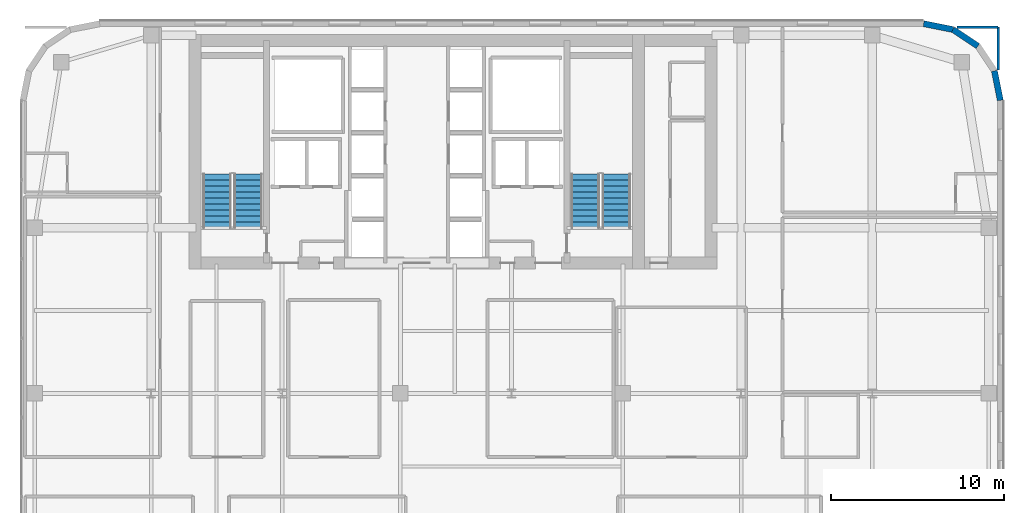
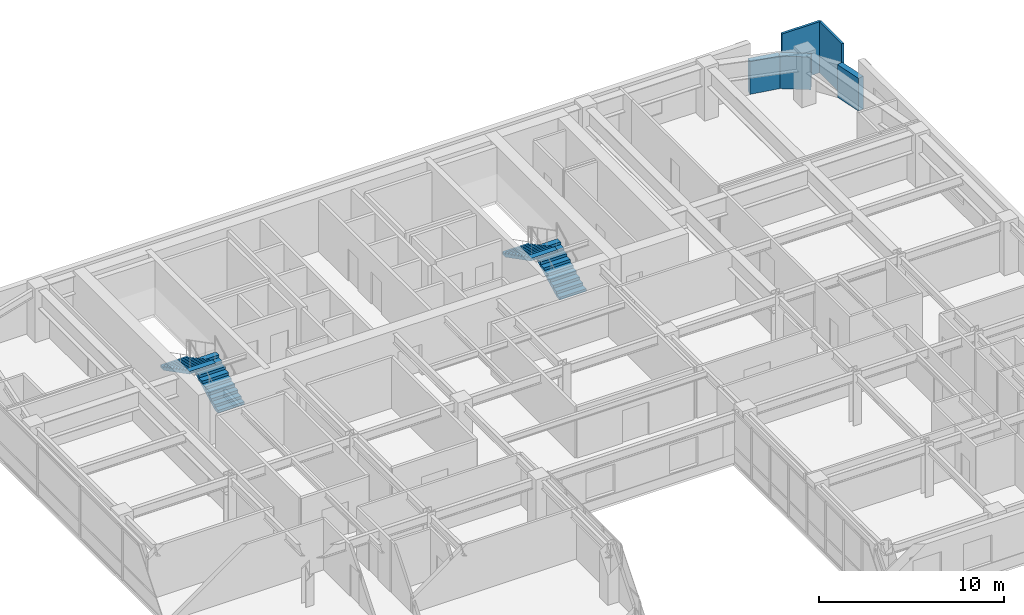
# One storey, part 32 of 37: 5 walls, 4 stair flights, 2 elements without a shape of their own.
"""IFC4 building model written with IfcOpenShell, lengths in metres."""

from ifc_helpers import new_model, si_unit, direction, frame, frame_2d, origin, place, context, subcontext, project, spatial, polyline, rectangle, outline, extrude, material, layer, layer_set, type_object, element, aggregate, save


model = new_model("IFC4")

# Units and contexts
model_context = context("Model", 3, precision=1e-05, world=origin(), true_north=direction((0.0, 1.0)))
body_context = subcontext(model_context, "Body", "Model", "MODEL_VIEW")
ifc_project = project(units=[si_unit("LENGTHUNIT", "METRE"), si_unit("AREAUNIT", "SQUARE_METRE"), si_unit("VOLUMEUNIT", "CUBIC_METRE"), si_unit("PLANEANGLEUNIT", "RADIAN"), si_unit("MASSUNIT", "GRAM", prefix="KILO")], contexts=[model_context])

# Site, building, storey
site_placement = place(None, origin())
site = spatial("IfcSite", under=ifc_project, at=site_placement, CompositionType="ELEMENT")
building_placement = place(site_placement, origin())
building = spatial("IfcBuilding", under=site, at=building_placement, Name="Tolvann Quenvar Hotel", CompositionType="ELEMENT")
storey_placement = place(building_placement, frame((0.0, 0.0, 104.449951171875)))
storey = spatial("IfcBuildingStorey", under=building, at=storey_placement, Name="L26", CompositionType="ELEMENT", Elevation=104.449951171875)

# Walls
ifc_material_1 = material(Name="Kiln-fired red and buff architectural clay brickwork and terracotta masonry", Category="masonry")
ifc_layer_1 = layer(ifc_material_1, 0.35009765625)
ifc_layer_set_1 = layer_set([ifc_layer_1], Name="Kiln-fired red and buff architectural clay brickwork and terracotta masonry")
wall_type_1 = type_object("IfcWallType", Name="WALL_EXT_BRICK_350", PredefinedType="SOLIDWALL", material=ifc_layer_set_1)
wall_1_placement = place(storey_placement, frame((56.824951171875, 41.3828125, 0.0), z_axis=(0.0, 0.0, 1.0), x_axis=(-0.195011420161, 0.980800971659, 0.0)))
element("IfcWall", 1, at=wall_1_placement, inside=storey, type_object=wall_type_1, Name="Exterior Chicago Brick Wall L26-E14", PredefinedType="SOLIDWALL", context=body_context, shape_type="SweptSolid", body=[
    extrude(rectangle(XDim=1.74267578125, YDim=0.35009765625, at=frame_2d((0.871337890625, 0.0))), origin(), (0.0, 0.0, 1.0), 2.16015625),
])
wall_2_placement = place(storey_placement, frame((55.526611328125, 44.526611328125, 0.0), z_axis=(0.0, 0.0, 1.0), x_axis=(-0.831483840845, 0.55554893791, 0.0)))
element("IfcWall", 2, at=wall_2_placement, inside=storey, type_object=wall_type_1, Name="Exterior Chicago Brick Wall L26-E16", PredefinedType="SOLIDWALL", context=body_context, shape_type="SweptSolid", body=[
    extrude(rectangle(XDim=1.725341796875, YDim=0.35009765625, at=frame_2d((0.86279296875, 0.0))), origin(), (0.0, 0.0, 1.0), 2.16015625),
])
wall_3_placement = place(storey_placement, frame((54.092041015625, 45.485107421875, 0.0), z_axis=(0.0, 0.0, 1.0), x_axis=(-0.980800971659, 0.195011420161, 0.0)))
element("IfcWall", 3, at=wall_3_placement, inside=storey, type_object=wall_type_1, Name="Exterior Chicago Brick Wall L26-E17", PredefinedType="SOLIDWALL", context=body_context, shape_type="SweptSolid", body=[
    extrude(rectangle(XDim=1.74267578125, YDim=0.35009765625, at=frame_2d((0.871337890625, 0.0))), origin(), (0.0, 0.0, 1.0), 2.16015625),
])
ifc_material_2 = material(Name="Acoustic twin-stud fire-rated gypsum plasterboard partition")
ifc_layer_2 = layer(ifc_material_2, 0.14990234375)
ifc_layer_set_2 = layer_set([ifc_layer_2], Name="Acoustic twin-stud fire-rated gypsum plasterboard partition")
wall_type_2 = type_object("IfcWallType", Name="WALL_PART_SUITE_150", PredefinedType="PARTITIONING", material=ifc_layer_set_2)
wall_4_placement = place(storey_placement, frame((56.699951171875, 43.135009765625, 0.0), z_axis=(0.0, 0.0, 1.0), x_axis=(0.0, 1.0, 0.0)))
element("IfcWall", 4, at=wall_4_placement, inside=storey, type_object=wall_type_2, Name="Interior Partition PT-SPC-L26-RM-NE01-E4", PredefinedType="PARTITIONING", context=body_context, shape_type="SweptSolid", body=[
    extrude(rectangle(XDim=2.485107421875, YDim=0.14990234375, at=frame_2d((1.24267578125, 0.0))), origin(), (0.0, 0.0, 1.0), 3.3701171875),
])
wall_5_placement = place(storey_placement, frame((54.303955078125, 45.6201171875, 0.0), z_axis=(0.0, 0.0, 1.0), x_axis=(1.0, 0.0, 0.0)))
element("IfcWall", 5, at=wall_5_placement, inside=storey, type_object=wall_type_2, Name="Interior Partition PT-SPC-L26-RM-NE01-E5", PredefinedType="PARTITIONING", context=body_context, shape_type="SweptSolid", body=[
    extrude(rectangle(XDim=2.39599609375, YDim=0.14990234375, at=frame_2d((1.197998046875, 0.0))), origin(), (0.0, 0.0, 1.0), 3.3701171875),
])

# Stair, stair flights
ifc_material_3 = material(Name="Concrete N40 (40 MPa)", Category="concrete")
stair_type = type_object("IfcStairType", Name="STAIR", PredefinedType="HALF_TURN_STAIR", material=ifc_material_3)
stair_1_placement = place(storey_placement, origin())
stair_1 = element("IfcStair", 6, at=stair_1_placement, inside=storey, type_object=stair_type, Name="L26 ST-C1", PredefinedType="HALF_TURN_STAIR")
stair_flight_type = type_object("IfcStairFlightType", Name="STAIR_FLIGHT", PredefinedType="STRAIGHT", material=ifc_material_3)
stair_flight_1_placement = place(storey_placement, frame((13.22509765625, 34.0, 0.0), z_axis=(0.0, 0.0, 1.0), x_axis=(0.0, 1.0, 0.0)))
stair_flight_1 = element("IfcStairFlight", 7, at=stair_flight_1_placement, type_object=stair_flight_type, Name="ST-C1 flight 1", NumberOfRisers=10, NumberOfTreads=9, PredefinedType="STRAIGHT", RiserHeight=0.1775, TreadLength=0.345, context=body_context, shape_type="SweptSolid", body=[
    extrude(outline(polyline([(0.0, 0.0), (0.0, 0.177490234375), (0.344970703125, 0.177490234375), (0.344970703125, 0.35498046875), (0.68994140625, 0.35498046875), (0.68994140625, 0.532470703125), (1.034912109375, 0.532470703125), (1.034912109375, 0.7099609375), (1.3798828125, 0.7099609375), (1.3798828125, 0.887451171875), (1.72509765625, 0.887451171875), (1.72509765625, 1.06494140625), (2.070068359375, 1.06494140625), (2.070068359375, 1.242431640625), (2.4150390625, 1.242431640625), (2.4150390625, 1.419921875), (2.760009765625, 1.419921875), (2.760009765625, 1.597412109375), (3.10498046875, 1.597412109375), (3.10498046875, 1.77490234375), (3.10498046875, 1.428955078125), (0.32763671875, 0.0), (0.0, 0.0)])), frame((0.0, 0.824951171875, 0.0), z_axis=(0.0, -1.0, 0.0), x_axis=(1.0, 0.0, 0.0)), (0.0, 0.0, 1.0), 1.64990234375),
])
stair_flight_2_placement = place(storey_placement, frame((11.425048828125, 37.10498046875, 1.775146484375), z_axis=(0.0, 0.0, 1.0), x_axis=(0.0, -1.0, 0.0)))
stair_flight_2 = element("IfcStairFlight", 8, at=stair_flight_2_placement, type_object=stair_flight_type, Name="ST-C1 flight 2", NumberOfRisers=10, NumberOfTreads=9, PredefinedType="STRAIGHT", RiserHeight=0.1775, TreadLength=0.345, context=body_context, shape_type="SweptSolid", body=[
    extrude(outline(polyline([(0.0, 0.0), (0.0, 0.177490234375), (0.344970703125, 0.177490234375), (0.344970703125, 0.35498046875), (0.68994140625, 0.35498046875), (0.68994140625, 0.532470703125), (1.034912109375, 0.532470703125), (1.034912109375, 0.7099609375), (1.3798828125, 0.7099609375), (1.3798828125, 0.887451171875), (1.72509765625, 0.887451171875), (1.72509765625, 1.06494140625), (2.070068359375, 1.06494140625), (2.070068359375, 1.242431640625), (2.4150390625, 1.242431640625), (2.4150390625, 1.419921875), (2.760009765625, 1.419921875), (2.760009765625, 1.597412109375), (3.10498046875, 1.597412109375), (3.10498046875, 1.77490234375), (3.10498046875, 1.428955078125), (0.32763671875, 0.0), (0.0, 0.0)])), frame((0.0, 0.824951171875, 0.0), z_axis=(0.0, -1.0, 0.0), x_axis=(1.0, 0.0, 0.0)), (0.0, 0.0, 1.0), 1.64990234375),
])
aggregate(stair_1, [stair_flight_1, stair_flight_2])

stair_2_placement = place(storey_placement, origin())
stair_2 = element("IfcStair", 9, at=stair_2_placement, inside=storey, type_object=stair_type, Name="L26 ST-C2", PredefinedType="HALF_TURN_STAIR")
stair_flight_3_placement = place(storey_placement, frame((34.574951171875, 34.0, 0.0), z_axis=(0.0, 0.0, 1.0), x_axis=(0.0, 1.0, 0.0)))
stair_flight_3 = element("IfcStairFlight", 10, at=stair_flight_3_placement, type_object=stair_flight_type, Name="ST-C2 flight 1", NumberOfRisers=10, NumberOfTreads=9, PredefinedType="STRAIGHT", RiserHeight=0.1775, TreadLength=0.345, context=body_context, shape_type="SweptSolid", body=[
    extrude(outline(polyline([(0.0, 0.0), (0.0, 0.177490234375), (0.344970703125, 0.177490234375), (0.344970703125, 0.35498046875), (0.68994140625, 0.35498046875), (0.68994140625, 0.532470703125), (1.034912109375, 0.532470703125), (1.034912109375, 0.7099609375), (1.3798828125, 0.7099609375), (1.3798828125, 0.887451171875), (1.72509765625, 0.887451171875), (1.72509765625, 1.06494140625), (2.070068359375, 1.06494140625), (2.070068359375, 1.242431640625), (2.4150390625, 1.242431640625), (2.4150390625, 1.419921875), (2.760009765625, 1.419921875), (2.760009765625, 1.597412109375), (3.10498046875, 1.597412109375), (3.10498046875, 1.77490234375), (3.10498046875, 1.428955078125), (0.32763671875, 0.0), (0.0, 0.0)])), frame((0.0, 0.824951171875, 0.0), z_axis=(0.0, -1.0, 0.0), x_axis=(1.0, 0.0, 0.0)), (0.0, 0.0, 1.0), 1.64990234375),
])
stair_flight_4_placement = place(storey_placement, frame((32.77490234375, 37.10498046875, 1.775146484375), z_axis=(0.0, 0.0, 1.0), x_axis=(0.0, -1.0, 0.0)))
stair_flight_4 = element("IfcStairFlight", 11, at=stair_flight_4_placement, type_object=stair_flight_type, Name="ST-C2 flight 2", NumberOfRisers=10, NumberOfTreads=9, PredefinedType="STRAIGHT", RiserHeight=0.1775, TreadLength=0.345, context=body_context, shape_type="SweptSolid", body=[
    extrude(outline(polyline([(0.0, 0.0), (0.0, 0.177490234375), (0.344970703125, 0.177490234375), (0.344970703125, 0.35498046875), (0.68994140625, 0.35498046875), (0.68994140625, 0.532470703125), (1.034912109375, 0.532470703125), (1.034912109375, 0.7099609375), (1.3798828125, 0.7099609375), (1.3798828125, 0.887451171875), (1.72509765625, 0.887451171875), (1.72509765625, 1.06494140625), (2.070068359375, 1.06494140625), (2.070068359375, 1.242431640625), (2.4150390625, 1.242431640625), (2.4150390625, 1.419921875), (2.760009765625, 1.419921875), (2.760009765625, 1.597412109375), (3.10498046875, 1.597412109375), (3.10498046875, 1.77490234375), (3.10498046875, 1.428955078125), (0.32763671875, 0.0), (0.0, 0.0)])), frame((0.0, 0.824951171875, 0.0), z_axis=(0.0, -1.0, 0.0), x_axis=(1.0, 0.0, 0.0)), (0.0, 0.0, 1.0), 1.64990234375),
])
aggregate(stair_2, [stair_flight_3, stair_flight_4])

save(model, "model.ifc")
